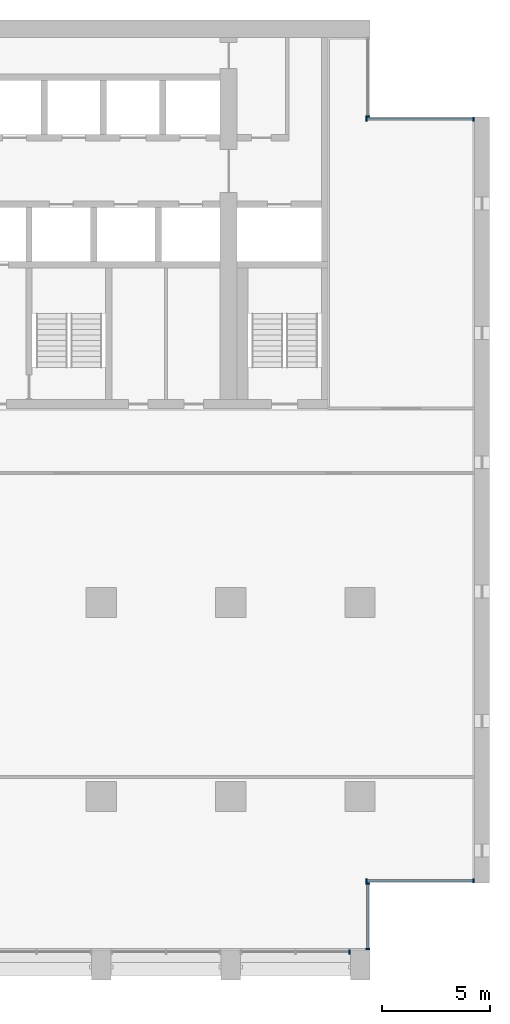
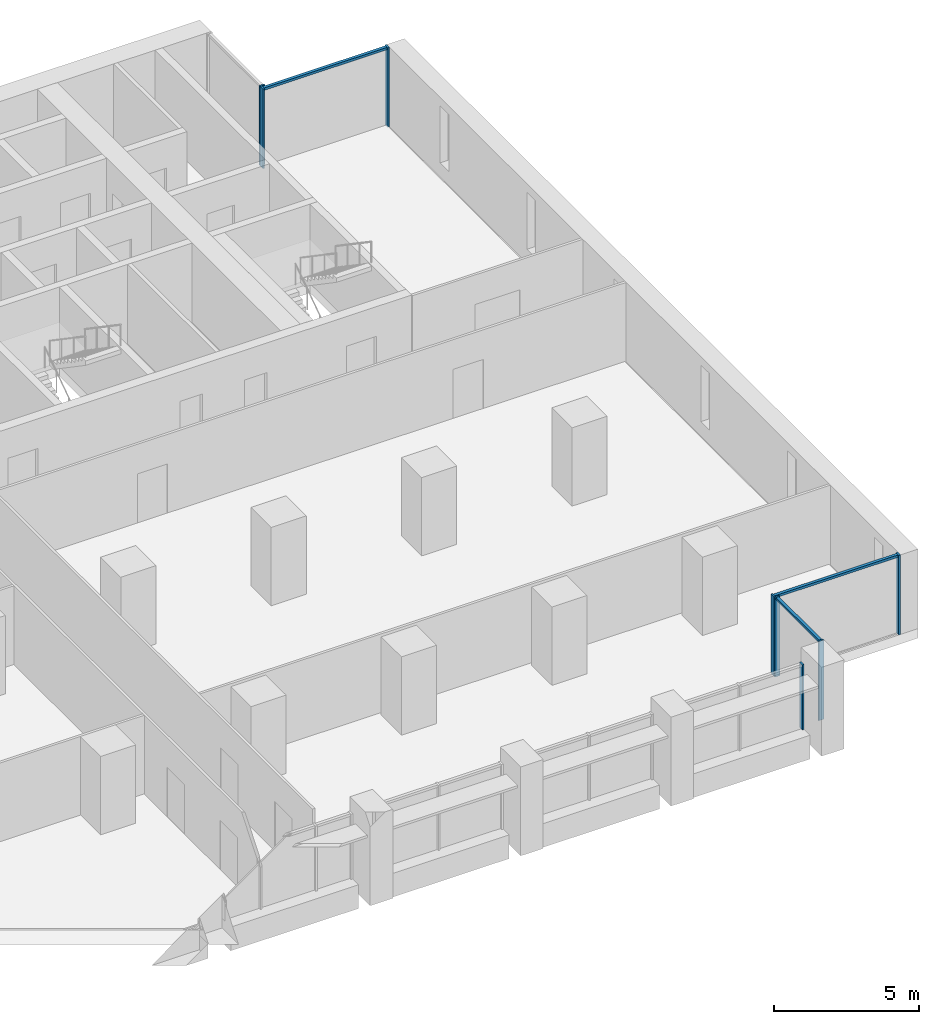
# One storey, part 5 of 15: 11 members, 5 elements without a shape of their own.
"""IFC4 building model written with IfcOpenShell, lengths in metres."""

from ifc_helpers import new_model, si_unit, direction, frame, origin, origin_2d, place, context, subcontext, project, spatial, rectangle, extrude, material, material_profile, profile_set, type_object, element, aggregate, save


model = new_model("IFC4")

# Units and contexts
model_context = context("Model", 3, precision=1e-05, world=origin(), true_north=direction((0.0, 1.0)))
body_context = subcontext(model_context, "Body", "Model", "MODEL_VIEW")
ifc_project = project(units=[si_unit("LENGTHUNIT", "METRE"), si_unit("AREAUNIT", "SQUARE_METRE"), si_unit("VOLUMEUNIT", "CUBIC_METRE"), si_unit("PLANEANGLEUNIT", "RADIAN"), si_unit("MASSUNIT", "GRAM", prefix="KILO")], contexts=[model_context])

# Site, building, storey
site_placement = place(None, origin())
site = spatial("IfcSite", under=ifc_project, at=site_placement, CompositionType="ELEMENT")
building_placement = place(site_placement, origin())
building = spatial("IfcBuilding", under=site, at=building_placement, Name="Calvaro Tower", CompositionType="ELEMENT")
storey_placement = place(building_placement, frame((0.0, 0.0, 106.25)))
storey = spatial("IfcBuildingStorey", under=building, at=storey_placement, Name="L26", CompositionType="ELEMENT", Elevation=106.25)

# Curtain wall, member
ifc_material_1 = material(Name="Anodised aluminium", Category="aluminium")
curtain_wall_type = type_object("IfcCurtainWallType", Name="Office curtain wall, middle zone", PredefinedType="NOTDEFINED", material=ifc_material_1)
curtain_wall_1_placement = place(storey_placement, origin())
curtain_wall_1 = element("IfcCurtainWall", 1, at=curtain_wall_1_placement, inside=storey, type_object=curtain_wall_type, Name="CW2 south curtain wall", PredefinedType="NOTDEFINED")
ifc_material_2 = material(Name="Anodised aluminium", Category="aluminium")
ifc_material_profile_1 = material_profile(ifc_material_2, rectangle(XDim=0.199951171875, YDim=0.070068359375, at=origin_2d()), Name="Mullion S2 70 x 200")
ifc_profile_set_1 = profile_set([ifc_material_profile_1], Name="Anodised aluminium")
member_type_1 = type_object("IfcMemberType", Name="Mullion S2 70 x 200", PredefinedType="MULLION", material=ifc_profile_set_1)
member_1_placement = place(storey_placement, frame((65.514892578125, 2.800048828125, 0.0), z_axis=(0.0, 0.0, 1.0), x_axis=(0.0, 1.0, 0.0)))
member_1 = element("IfcMember", 2, at=member_1_placement, type_object=member_type_1, Name="CW2 mullion 3", PredefinedType="MULLION", context=body_context, shape_type="SweptSolid", body=[
    extrude(rectangle(XDim=0.199951171875, YDim=0.070068359375, at=origin_2d()), origin(), (0.0, 0.0, 1.0), 2.75),
])
aggregate(curtain_wall_1, [member_1])

# Curtain wall, members
curtain_wall_2_placement = place(storey_placement, origin())
curtain_wall_2 = element("IfcCurtainWall", 3, at=curtain_wall_2_placement, inside=storey, type_object=curtain_wall_type, Name="CW2 corner curtain wall", PredefinedType="NOTDEFINED")
member_2_placement = place(storey_placement, frame((66.35009765625, 2.93505859375, 0.0), z_axis=(0.0, 0.0, 1.0), x_axis=(-1.0, 0.0, 0.0)))
member_2 = element("IfcMember", 4, at=member_2_placement, type_object=member_type_1, Name="CW2 mullion 1", PredefinedType="MULLION", context=body_context, shape_type="SweptSolid", body=[
    extrude(rectangle(XDim=0.199951171875, YDim=0.070068359375, at=origin_2d()), origin(), (0.0, 0.0, 1.0), 3.35009765625),
])
member_3_placement = place(storey_placement, frame((66.35009765625, 5.965087890625, 0.0), z_axis=(0.0, 0.0, 1.0), x_axis=(-1.0, 0.0, 0.0)))
member_3 = element("IfcMember", 5, at=member_3_placement, type_object=member_type_1, Name="CW2 mullion 2", PredefinedType="MULLION", context=body_context, shape_type="SweptSolid", body=[
    extrude(rectangle(XDim=0.199951171875, YDim=0.070068359375, at=origin_2d()), origin(), (0.0, 0.0, 1.0), 3.35009765625),
])

curtain_wall_3_placement = place(storey_placement, origin())
curtain_wall_3 = element("IfcCurtainWall", 6, at=curtain_wall_3_placement, inside=storey, type_object=curtain_wall_type, Name="CW2 corner curtain wall", PredefinedType="NOTDEFINED")
member_4_placement = place(storey_placement, frame((66.284912109375, 6.10009765625, 0.0), z_axis=(0.0, 0.0, 1.0), x_axis=(0.0, 1.0, 0.0)))
member_4 = element("IfcMember", 7, at=member_4_placement, type_object=member_type_1, Name="CW2 mullion 1", PredefinedType="MULLION", context=body_context, shape_type="SweptSolid", body=[
    extrude(rectangle(XDim=0.199951171875, YDim=0.070068359375, at=origin_2d()), origin(), (0.0, 0.0, 1.0), 3.35009765625),
])
member_5_placement = place(storey_placement, frame((71.264892578125, 6.10009765625, 0.0), z_axis=(0.0, 0.0, 1.0), x_axis=(0.0, 1.0, 0.0)))
member_5 = element("IfcMember", 8, at=member_5_placement, type_object=member_type_1, Name="CW2 mullion 2", PredefinedType="MULLION", context=body_context, shape_type="SweptSolid", body=[
    extrude(rectangle(XDim=0.199951171875, YDim=0.070068359375, at=origin_2d()), origin(), (0.0, 0.0, 1.0), 3.35009765625),
])

# Curtain wall, member
curtain_wall_4_placement = place(storey_placement, origin())
curtain_wall_4 = element("IfcCurtainWall", 9, at=curtain_wall_4_placement, inside=storey, type_object=curtain_wall_type, Name="CW2 corner curtain wall", PredefinedType="NOTDEFINED")
member_6_placement = place(storey_placement, frame((66.35009765625, 41.534912109375, 0.0), z_axis=(0.0, 0.0, 1.0), x_axis=(-1.0, 0.0, 0.0)))
member_6 = element("IfcMember", 10, at=member_6_placement, type_object=member_type_1, Name="CW2 mullion 1", PredefinedType="MULLION", context=body_context, shape_type="SweptSolid", body=[
    extrude(rectangle(XDim=0.199951171875, YDim=0.070068359375, at=origin_2d()), origin(), (0.0, 0.0, 1.0), 3.35009765625),
])
aggregate(curtain_wall_4, [member_6])

# Curtain wall, members
curtain_wall_5_placement = place(storey_placement, origin())
curtain_wall_5 = element("IfcCurtainWall", 11, at=curtain_wall_5_placement, inside=storey, type_object=curtain_wall_type, Name="CW2 corner curtain wall", PredefinedType="NOTDEFINED")
member_7_placement = place(storey_placement, frame((66.284912109375, 41.39990234375, 0.0), z_axis=(0.0, 0.0, 1.0), x_axis=(0.0, 1.0, 0.0)))
member_7 = element("IfcMember", 12, at=member_7_placement, type_object=member_type_1, Name="CW2 mullion 1", PredefinedType="MULLION", context=body_context, shape_type="SweptSolid", body=[
    extrude(rectangle(XDim=0.199951171875, YDim=0.070068359375, at=origin_2d()), origin(), (0.0, 0.0, 1.0), 3.35009765625),
])
member_8_placement = place(storey_placement, frame((71.264892578125, 41.39990234375, 0.0), z_axis=(0.0, 0.0, 1.0), x_axis=(0.0, 1.0, 0.0)))
member_8 = element("IfcMember", 13, at=member_8_placement, type_object=member_type_1, Name="CW2 mullion 2", PredefinedType="MULLION", context=body_context, shape_type="SweptSolid", body=[
    extrude(rectangle(XDim=0.199951171875, YDim=0.070068359375, at=origin_2d()), origin(), (0.0, 0.0, 1.0), 3.35009765625),
])

# Member
ifc_material_3 = material(Name="Anodised aluminium", Category="aluminium")
ifc_material_profile_2 = material_profile(ifc_material_3, rectangle(XDim=0.1201171875, YDim=0.10009765625, at=origin_2d()), Name="Transom S2 100 x 120")
ifc_profile_set_2 = profile_set([ifc_material_profile_2], Name="Anodised aluminium")
member_type_2 = type_object("IfcMemberType", Name="Transom S2 100 x 120", PredefinedType="USERDEFINED", material=ifc_profile_set_2)
member_9_placement = place(storey_placement, frame((66.35009765625, 2.969970703125, 3.300048828125), z_axis=(0.0, 1.0, 0.0), x_axis=(-1.0, 0.0, 0.0)))
member_9 = element("IfcMember", 14, at=member_9_placement, type_object=member_type_2, Name="CW2 transom 1.1", ObjectType="TRANSOM", PredefinedType="USERDEFINED", context=body_context, shape_type="SweptSolid", body=[
    extrude(rectangle(XDim=0.1201171875, YDim=0.10009765625, at=origin_2d()), origin(), (0.0, 0.0, 1.0), 2.9599609375),
])

aggregate(curtain_wall_2, [member_2, member_3, member_9])

member_10_placement = place(storey_placement, frame((66.320068359375, 6.10009765625, 3.300048828125), z_axis=(1.0, 0.0, 0.0), x_axis=(0.0, 1.0, 0.0)))
member_10 = element("IfcMember", 15, at=member_10_placement, type_object=member_type_2, Name="CW2 transom 1.1", ObjectType="TRANSOM", PredefinedType="USERDEFINED", context=body_context, shape_type="SweptSolid", body=[
    extrude(rectangle(XDim=0.1201171875, YDim=0.10009765625, at=origin_2d()), origin(), (0.0, 0.0, 1.0), 4.909912109375),
])

aggregate(curtain_wall_3, [member_4, member_5, member_10])

member_11_placement = place(storey_placement, frame((66.320068359375, 41.39990234375, 3.300048828125), z_axis=(1.0, 0.0, 0.0), x_axis=(0.0, 1.0, 0.0)))
member_11 = element("IfcMember", 16, at=member_11_placement, type_object=member_type_2, Name="CW2 transom 1.1", ObjectType="TRANSOM", PredefinedType="USERDEFINED", context=body_context, shape_type="SweptSolid", body=[
    extrude(rectangle(XDim=0.1201171875, YDim=0.10009765625, at=origin_2d()), origin(), (0.0, 0.0, 1.0), 4.909912109375),
])

aggregate(curtain_wall_5, [member_7, member_8, member_11])

save(model, "model.ifc")
